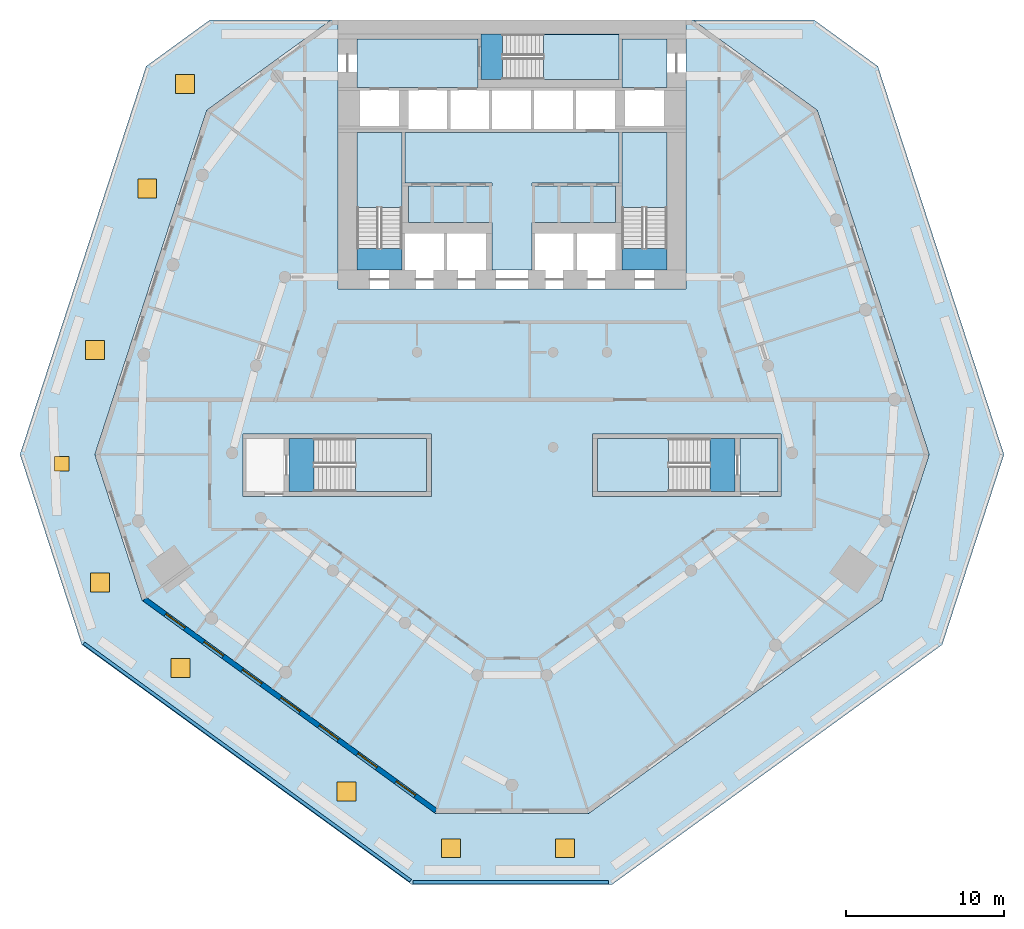
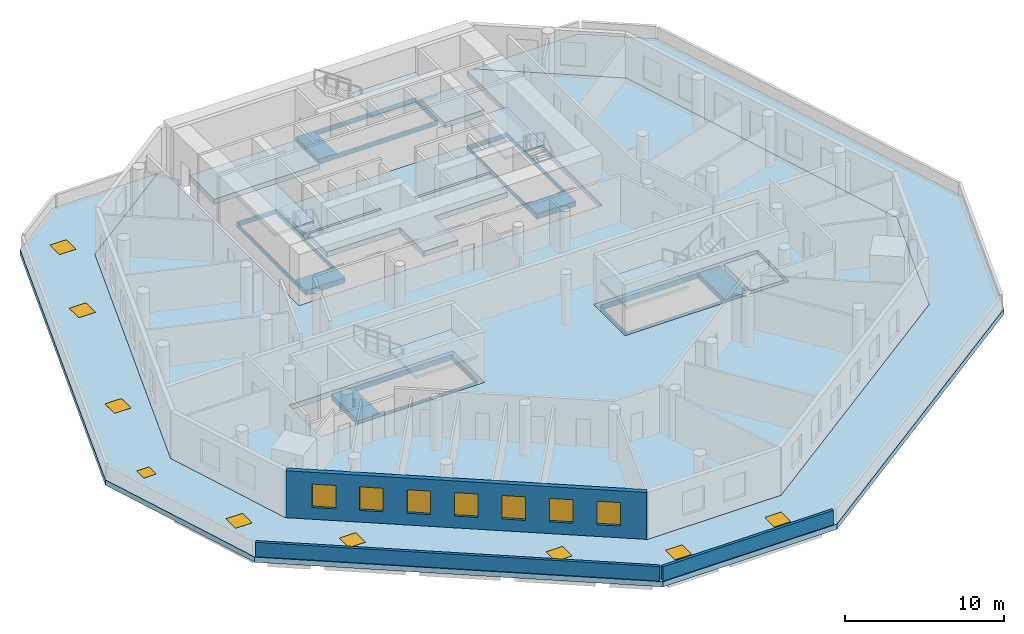
# One storey, part 2 of 10: 16 slabs, 16 windows, 3 walls, 16 openings, 5 elements without a shape of their own.
"""IFC4 building model written with IfcOpenShell, lengths in metres."""

from ifc_helpers import new_model, si_unit, direction, frame, frame_2d, origin, origin_2d, place, context, subcontext, project, spatial, polyline, rectangle, outline, extrude, material, layer, layer_set, type_object, element, fill, aggregate, save


model = new_model("IFC4")

# Units and contexts
model_context = context("Model", 3, precision=1e-05, world=origin(), true_north=direction((0.0, 1.0)))
body_context = subcontext(model_context, "Body", "Model", "MODEL_VIEW")
ifc_project = project(units=[si_unit("LENGTHUNIT", "METRE"), si_unit("AREAUNIT", "SQUARE_METRE"), si_unit("VOLUMEUNIT", "CUBIC_METRE"), si_unit("PLANEANGLEUNIT", "RADIAN"), si_unit("MASSUNIT", "GRAM", prefix="KILO")], contexts=[model_context])

# Site, building, storey
site_placement = place(None, origin())
site = spatial("IfcSite", under=ifc_project, at=site_placement, CompositionType="ELEMENT")
building_placement = place(site_placement, origin())
building = spatial("IfcBuilding", under=site, at=building_placement, Name="White Candle Pilgrim Tower", CompositionType="ELEMENT")
storey_placement = place(building_placement, frame((0.0, 0.0, 39.0)))
storey = spatial("IfcBuildingStorey", under=building, at=storey_placement, Name="L06", CompositionType="ELEMENT", Elevation=39.0)

# Slabs
ifc_material_1 = material(Name="Concrete C40/50", Category="concrete")
ifc_layer_1 = layer(ifc_material_1, 0.39990234375)
ifc_layer_set_1 = layer_set([ifc_layer_1], Name="Core floor slab 400 mm Concrete C40/50")
slab_type_1 = type_object("IfcSlabType", Name="Core floor slab 400 mm Concrete C40/50", PredefinedType="FLOOR", material=ifc_layer_set_1)
slab_1_placement = place(storey_placement, frame((0.0, 0.0, -0.39990234375)))
element("IfcSlab", 1, at=slab_1_placement, inside=storey, type_object=slab_type_1, Name="CF-L06-02", PredefinedType="FLOOR", context=body_context, shape_type="SweptSolid", body=[
    extrude(outline(polyline([(55.89990234375, 58.199951171875), (55.89990234375, 61.550048828125), (64.60009765625, 61.550048828125), (64.60009765625, 58.199951171875), (55.89990234375, 58.199951171875)]), holes=[polyline([(57.501953125, 61.548095703125), (57.501953125, 58.201904296875), (64.597900390625, 58.201904296875), (64.597900390625, 61.548095703125), (57.501953125, 61.548095703125)])]), origin(), (0.0, 0.0, 1.0), 0.39990234375),
])
slab_2_placement = place(storey_placement, frame((0.0, 0.0, -0.39990234375)))
element("IfcSlab", 2, at=slab_2_placement, inside=storey, type_object=slab_type_1, Name="CF-L06-03", PredefinedType="FLOOR", context=body_context, shape_type="SweptSolid", body=[
    extrude(outline(polyline([(75.39990234375, 58.199951171875), (75.39990234375, 61.550048828125), (84.10009765625, 61.550048828125), (84.10009765625, 58.199951171875), (75.39990234375, 58.199951171875)]), holes=[polyline([(82.498046875, 58.201904296875), (82.498046875, 61.548095703125), (75.402099609375, 61.548095703125), (75.402099609375, 58.201904296875), (82.498046875, 58.201904296875)])]), origin(), (0.0, 0.0, 1.0), 0.39990234375),
])
slab_3_placement = place(storey_placement, frame((0.0, 0.0, -0.39990234375)))
element("IfcSlab", 3, at=slab_3_placement, inside=storey, type_object=slab_type_1, Name="CF-L06-04", PredefinedType="FLOOR", context=body_context, shape_type="SweptSolid", body=[
    extrude(outline(polyline([(86.800048828125, 58.199951171875), (84.39990234375, 58.199951171875), (84.39990234375, 61.550048828125), (86.800048828125, 61.550048828125), (86.800048828125, 58.199951171875)])), origin(), (0.0, 0.0, 1.0), 0.39990234375),
])
slab_4_placement = place(storey_placement, frame((0.0, 0.0, -0.39990234375)))
element("IfcSlab", 4, at=slab_4_placement, inside=storey, type_object=slab_type_1, Name="CF-L06-05", PredefinedType="FLOOR", context=body_context, shape_type="SweptSolid", body=[
    extrude(outline(polyline([(76.75, 87.10009765625), (76.75, 86.800048828125), (76.75, 84.25), (68.050048828125, 84.25), (68.050048828125, 86.800048828125), (68.050048828125, 87.10009765625), (76.75, 87.10009765625)]), holes=[polyline([(69.402099609375, 87.097900390625), (69.402099609375, 84.251953125), (76.748046875, 84.251953125), (76.748046875, 87.097900390625), (69.402099609375, 87.097900390625)])]), origin(), (0.0, 0.0, 1.0), 0.39990234375),
])
slab_5_placement = place(storey_placement, frame((0.0, 0.0, -0.39990234375)))
element("IfcSlab", 5, at=slab_5_placement, inside=storey, type_object=slab_type_1, Name="CF-L06-06", PredefinedType="FLOOR", context=body_context, shape_type="SweptSolid", body=[
    extrude(outline(polyline([(79.800048828125, 86.800048828125), (79.800048828125, 83.75), (76.949951171875, 83.75), (76.949951171875, 84.25), (76.949951171875, 86.800048828125), (79.800048828125, 86.800048828125)])), origin(), (0.0, 0.0, 1.0), 0.39990234375),
])
slab_6_placement = place(storey_placement, frame((0.0, 0.0, -0.39990234375)))
element("IfcSlab", 6, at=slab_6_placement, inside=storey, type_object=slab_type_1, Name="CF-L06-07", PredefinedType="FLOOR", context=body_context, shape_type="SweptSolid", body=[
    extrude(outline(polyline([(79.800048828125, 72.199951171875), (76.949951171875, 72.199951171875), (76.949951171875, 74.5), (76.949951171875, 75.199951171875), (76.949951171875, 77.5), (76.949951171875, 77.699951171875), (76.949951171875, 80.89990234375), (79.800048828125, 80.89990234375), (79.800048828125, 72.199951171875)]), holes=[polyline([(76.951904296875, 73.552001953125), (79.798095703125, 73.552001953125), (79.798095703125, 80.89794921875), (76.951904296875, 80.89794921875), (76.951904296875, 73.552001953125)])]), origin(), (0.0, 0.0, 1.0), 0.39990234375),
])
slab_7_placement = place(storey_placement, frame((0.0, 0.0, -0.39990234375)))
element("IfcSlab", 7, at=slab_7_placement, inside=storey, type_object=slab_type_1, Name="CF-L06-08", PredefinedType="FLOOR", context=body_context, shape_type="SweptSolid", body=[
    extrude(outline(polyline([(68.75, 72.199951171875), (68.75, 74.5), (68.75, 75.199951171875), (63.449951171875, 75.199951171875), (63.449951171875, 77.5), (68.75, 77.5), (68.75, 77.699951171875), (63.25, 77.699951171875), (63.25, 80.89990234375), (76.75, 80.89990234375), (76.75, 77.699951171875), (71.25, 77.699951171875), (71.25, 77.5), (76.550048828125, 77.5), (76.550048828125, 75.199951171875), (71.25, 75.199951171875), (71.25, 74.5), (71.25, 72.199951171875), (68.75, 72.199951171875)])), origin(), (0.0, 0.0, 1.0), 0.39990234375),
])
slab_8_placement = place(storey_placement, frame((0.0, 0.0, -0.39990234375)))
element("IfcSlab", 8, at=slab_8_placement, inside=storey, type_object=slab_type_1, Name="CF-L06-09", PredefinedType="FLOOR", context=body_context, shape_type="SweptSolid", body=[
    extrude(outline(polyline([(60.199951171875, 72.199951171875), (60.199951171875, 80.89990234375), (63.050048828125, 80.89990234375), (63.050048828125, 77.699951171875), (63.050048828125, 77.5), (63.050048828125, 75.199951171875), (63.050048828125, 74.5), (63.050048828125, 72.199951171875), (60.199951171875, 72.199951171875)]), holes=[polyline([(60.201904296875, 73.552001953125), (63.048095703125, 73.552001953125), (63.048095703125, 80.89794921875), (60.201904296875, 80.89794921875), (60.201904296875, 73.552001953125)])]), origin(), (0.0, 0.0, 1.0), 0.39990234375),
])
slab_9_placement = place(storey_placement, frame((0.0, 0.0, -0.39990234375)))
element("IfcSlab", 9, at=slab_9_placement, inside=storey, type_object=slab_type_1, Name="CF-L06-10", PredefinedType="FLOOR", context=body_context, shape_type="SweptSolid", body=[
    extrude(outline(polyline([(60.199951171875, 86.800048828125), (67.85009765625, 86.800048828125), (67.85009765625, 84.25), (67.85009765625, 83.75), (60.199951171875, 83.75), (60.199951171875, 86.800048828125)])), origin(), (0.0, 0.0, 1.0), 0.39990234375),
])
ifc_layer_2 = layer(ifc_material_1, 0.39990234375)
ifc_layer_set_2 = layer_set([ifc_layer_2], Name="Floor slab 400 REI 240")
slab_type_2 = type_object("IfcSlabType", Name="Floor slab 400 REI 240", PredefinedType="FLOOR", material=ifc_layer_set_2)
slab_10_placement = place(storey_placement, frame((0.0, 0.0, -0.39990234375)))
element("IfcSlab", 10, at=slab_10_placement, inside=storey, type_object=slab_type_2, Name="L06 floor slab", PredefinedType="FLOOR", context=body_context, shape_type="SweptSolid", body=[
    extrude(outline(polyline([(65.14599609375, 37.861083984375), (74.85400390625, 37.861083984375), (93.359619140625, 51.30615234375), (96.359619140625, 60.539306640625), (89.291015625, 82.293701171875), (81.43701171875, 88.0), (81.0, 88.0), (81.0, 71.0), (59.0, 71.0), (59.0, 88.0), (58.56298828125, 88.0), (50.708984375, 82.293701171875), (43.640380859375, 60.539306640625), (46.640380859375, 51.30615234375), (65.14599609375, 37.861083984375)]), holes=[polyline([(53.0, 57.89990234375), (53.0, 61.85009765625), (64.89990234375, 61.85009765625), (64.89990234375, 57.89990234375), (53.0, 57.89990234375)]), polyline([(75.10009765625, 57.89990234375), (75.10009765625, 61.85009765625), (87.0, 61.85009765625), (87.0, 57.89990234375), (75.10009765625, 57.89990234375)])]), origin(), (0.0, 0.0, 1.0), 0.39990234375),
])

# Slab, openings, windows
ifc_layer_3 = layer(ifc_material_1, 0.39990234375)
ifc_layer_set_3 = layer_set([ifc_layer_3], Name="Roof deck 400 REI 240")
slab_type_3 = type_object("IfcSlabType", Name="Roof deck 400 REI 240", PredefinedType="ROOF", material=ifc_layer_set_3)
slab_11_placement = place(storey_placement, frame((0.0, 0.0, -0.39990234375)))
slab_11 = element("IfcSlab", 11, at=slab_11_placement, inside=storey, type_object=slab_type_3, Name="Maintenance roof deck FS6", PredefinedType="ROOF", context=body_context, shape_type="SweptSolid", body=[
    extrude(outline(polyline([(63.683837890625, 33.361083984375), (76.316162109375, 33.361083984375), (97.1875, 48.525146484375), (101.09130859375, 60.539306640625), (93.118896484375, 85.07470703125), (89.0927734375, 88.0), (81.4375, 87.999755859375), (89.291015625, 82.293701171875), (96.359619140625, 60.539306640625), (93.359619140625, 51.30615234375), (74.85400390625, 37.861083984375), (65.14599609375, 37.861083984375), (46.640380859375, 51.30615234375), (43.640380859375, 60.539306640625), (50.708984375, 82.293701171875), (58.5625, 88.0), (50.906982421875, 88.0), (46.880859375, 85.07470703125), (38.90869140625, 60.539306640625), (42.8125, 48.52490234375), (63.683837890625, 33.361083984375)])), origin(), (0.0, 0.0, 1.0), 0.39990234375),
])
opening_1_placement = place(slab_11_placement, frame((41.550048828125, 59.9599609375, 0.0)))
opening_1 = element("IfcOpeningElement", 12, at=opening_1_placement, cuts=slab_11, Name="Opening SK1", PredefinedType="OPENING", context=body_context, shape_type="SweptSolid", body=[
    extrude(rectangle(XDim=0.89990234375, YDim=0.89990234375, at=origin_2d()), origin(), (0.0, 0.0, 1.0), 0.39990234375),
])
opening_2_placement = place(slab_11_placement, frame((43.64990234375, 67.159912109375, 0.0)))
opening_2 = element("IfcOpeningElement", 13, at=opening_2_placement, cuts=slab_11, Name="Opening SK2", PredefinedType="OPENING", context=body_context, shape_type="SweptSolid", body=[
    extrude(rectangle(XDim=1.199951171875, YDim=1.199951171875, at=origin_2d()), origin(), (0.0, 0.0, 1.0), 0.39990234375),
])
opening_3_placement = place(slab_11_placement, frame((43.949951171875, 52.4599609375, 0.0)))
opening_3 = element("IfcOpeningElement", 14, at=opening_3_placement, cuts=slab_11, Name="Opening SK2", PredefinedType="OPENING", context=body_context, shape_type="SweptSolid", body=[
    extrude(rectangle(XDim=1.199951171875, YDim=1.199951171875, at=origin_2d()), origin(), (0.0, 0.0, 1.0), 0.39990234375),
])
opening_4_placement = place(slab_11_placement, frame((46.949951171875, 77.360107421875, 0.0)))
opening_4 = element("IfcOpeningElement", 15, at=opening_4_placement, cuts=slab_11, Name="Opening SK2", PredefinedType="OPENING", context=body_context, shape_type="SweptSolid", body=[
    extrude(rectangle(XDim=1.199951171875, YDim=1.199951171875, at=origin_2d()), origin(), (0.0, 0.0, 1.0), 0.39990234375),
])
opening_5_placement = place(slab_11_placement, frame((49.050048828125, 47.06005859375, 0.0)))
opening_5 = element("IfcOpeningElement", 16, at=opening_5_placement, cuts=slab_11, Name="Opening SK2", PredefinedType="OPENING", context=body_context, shape_type="SweptSolid", body=[
    extrude(rectangle(XDim=1.199951171875, YDim=1.199951171875, at=origin_2d()), origin(), (0.0, 0.0, 1.0), 0.39990234375),
])
opening_6_placement = place(slab_11_placement, frame((49.35009765625, 83.9599609375, 0.0)))
opening_6 = element("IfcOpeningElement", 17, at=opening_6_placement, cuts=slab_11, Name="Opening SK2", PredefinedType="OPENING", context=body_context, shape_type="SweptSolid", body=[
    extrude(rectangle(XDim=1.199951171875, YDim=1.199951171875, at=origin_2d()), origin(), (0.0, 0.0, 1.0), 0.39990234375),
])
opening_7_placement = place(slab_11_placement, frame((59.550048828125, 39.260009765625, 0.0)))
opening_7 = element("IfcOpeningElement", 18, at=opening_7_placement, cuts=slab_11, Name="Opening SK2", PredefinedType="OPENING", context=body_context, shape_type="SweptSolid", body=[
    extrude(rectangle(XDim=1.199951171875, YDim=1.199951171875, at=origin_2d()), origin(), (0.0, 0.0, 1.0), 0.39990234375),
])
opening_8_placement = place(slab_11_placement, frame((66.14990234375, 35.659912109375, 0.0)))
opening_8 = element("IfcOpeningElement", 19, at=opening_8_placement, cuts=slab_11, Name="Opening SK2", PredefinedType="OPENING", context=body_context, shape_type="SweptSolid", body=[
    extrude(rectangle(XDim=1.199951171875, YDim=1.199951171875, at=origin_2d()), origin(), (0.0, 0.0, 1.0), 0.39990234375),
])
opening_9_placement = place(slab_11_placement, frame((73.35009765625, 35.659912109375, 0.0)))
opening_9 = element("IfcOpeningElement", 20, at=opening_9_placement, cuts=slab_11, Name="Opening SK2", PredefinedType="OPENING", context=body_context, shape_type="SweptSolid", body=[
    extrude(rectangle(XDim=1.199951171875, YDim=1.199951171875, at=origin_2d()), origin(), (0.0, 0.0, 1.0), 0.39990234375),
])
ifc_material_2 = material(Name="Aluminium with glazing", Category="aluminium")
window_type_1 = type_object("IfcWindowType", Name="Roof access hatch SK1 900", PartitioningType="SINGLE_PANEL", PredefinedType="SKYLIGHT", material=ifc_material_2)
window_1_placement = place(opening_1_placement, frame((0.0, 0.0, 0.349853515625)))
window_1 = element("IfcWindow", 21, at=window_1_placement, inside=storey, type_object=window_type_1, Name="Roof access hatch SK1 L06", OverallHeight=0.89990234375, OverallWidth=0.89990234375, PartitioningType="SINGLE_PANEL", PredefinedType="SKYLIGHT", context=body_context, shape_type="SweptSolid", body=[
    extrude(rectangle(XDim=0.89990234375, YDim=0.89990234375, at=origin_2d()), origin(), (0.0, 0.0, 1.0), 0.050048828125),
])
fill(opening_1, window_1)
window_type_2 = type_object("IfcWindowType", Name="Rooflight SK2 1200", PartitioningType="SINGLE_PANEL", PredefinedType="SKYLIGHT", material=ifc_material_2)
window_2_placement = place(opening_2_placement, frame((0.0, 0.0, 0.349853515625)))
window_2 = element("IfcWindow", 22, at=window_2_placement, inside=storey, type_object=window_type_2, Name="Rooflight SK2 L06 1", OverallHeight=1.199951171875, OverallWidth=1.199951171875, PartitioningType="SINGLE_PANEL", PredefinedType="SKYLIGHT", context=body_context, shape_type="SweptSolid", body=[
    extrude(rectangle(XDim=1.199951171875, YDim=1.199951171875, at=origin_2d()), origin(), (0.0, 0.0, 1.0), 0.050048828125),
])
fill(opening_2, window_2)
window_3_placement = place(opening_3_placement, frame((0.0, 0.0, 0.349853515625)))
window_3 = element("IfcWindow", 23, at=window_3_placement, inside=storey, type_object=window_type_2, Name="Rooflight SK2 L06 2", OverallHeight=1.199951171875, OverallWidth=1.199951171875, PartitioningType="SINGLE_PANEL", PredefinedType="SKYLIGHT", context=body_context, shape_type="SweptSolid", body=[
    extrude(rectangle(XDim=1.199951171875, YDim=1.199951171875, at=origin_2d()), origin(), (0.0, 0.0, 1.0), 0.050048828125),
])
fill(opening_3, window_3)
window_4_placement = place(opening_4_placement, frame((0.0, 0.0, 0.349853515625)))
window_4 = element("IfcWindow", 24, at=window_4_placement, inside=storey, type_object=window_type_2, Name="Rooflight SK2 L06 3", OverallHeight=1.199951171875, OverallWidth=1.199951171875, PartitioningType="SINGLE_PANEL", PredefinedType="SKYLIGHT", context=body_context, shape_type="SweptSolid", body=[
    extrude(rectangle(XDim=1.199951171875, YDim=1.199951171875, at=origin_2d()), origin(), (0.0, 0.0, 1.0), 0.050048828125),
])
fill(opening_4, window_4)
window_5_placement = place(opening_5_placement, frame((0.0, 0.0, 0.349853515625)))
window_5 = element("IfcWindow", 25, at=window_5_placement, inside=storey, type_object=window_type_2, Name="Rooflight SK2 L06 4", OverallHeight=1.199951171875, OverallWidth=1.199951171875, PartitioningType="SINGLE_PANEL", PredefinedType="SKYLIGHT", context=body_context, shape_type="SweptSolid", body=[
    extrude(rectangle(XDim=1.199951171875, YDim=1.199951171875, at=origin_2d()), origin(), (0.0, 0.0, 1.0), 0.050048828125),
])
fill(opening_5, window_5)
window_6_placement = place(opening_6_placement, frame((0.0, 0.0, 0.349853515625)))
window_6 = element("IfcWindow", 26, at=window_6_placement, inside=storey, type_object=window_type_2, Name="Rooflight SK2 L06 5", OverallHeight=1.199951171875, OverallWidth=1.199951171875, PartitioningType="SINGLE_PANEL", PredefinedType="SKYLIGHT", context=body_context, shape_type="SweptSolid", body=[
    extrude(rectangle(XDim=1.199951171875, YDim=1.199951171875, at=origin_2d()), origin(), (0.0, 0.0, 1.0), 0.050048828125),
])
fill(opening_6, window_6)
window_7_placement = place(opening_7_placement, frame((0.0, 0.0, 0.349853515625)))
window_7 = element("IfcWindow", 27, at=window_7_placement, inside=storey, type_object=window_type_2, Name="Rooflight SK2 L06 6", OverallHeight=1.199951171875, OverallWidth=1.199951171875, PartitioningType="SINGLE_PANEL", PredefinedType="SKYLIGHT", context=body_context, shape_type="SweptSolid", body=[
    extrude(rectangle(XDim=1.199951171875, YDim=1.199951171875, at=origin_2d()), origin(), (0.0, 0.0, 1.0), 0.050048828125),
])
fill(opening_7, window_7)
window_8_placement = place(opening_8_placement, frame((0.0, 0.0, 0.349853515625)))
window_8 = element("IfcWindow", 28, at=window_8_placement, inside=storey, type_object=window_type_2, Name="Rooflight SK2 L06 7", OverallHeight=1.199951171875, OverallWidth=1.199951171875, PartitioningType="SINGLE_PANEL", PredefinedType="SKYLIGHT", context=body_context, shape_type="SweptSolid", body=[
    extrude(rectangle(XDim=1.199951171875, YDim=1.199951171875, at=origin_2d()), origin(), (0.0, 0.0, 1.0), 0.050048828125),
])
fill(opening_8, window_8)
window_9_placement = place(opening_9_placement, frame((0.0, 0.0, 0.349853515625)))
window_9 = element("IfcWindow", 29, at=window_9_placement, inside=storey, type_object=window_type_2, Name="Rooflight SK2 L06 8", OverallHeight=1.199951171875, OverallWidth=1.199951171875, PartitioningType="SINGLE_PANEL", PredefinedType="SKYLIGHT", context=body_context, shape_type="SweptSolid", body=[
    extrude(rectangle(XDim=1.199951171875, YDim=1.199951171875, at=origin_2d()), origin(), (0.0, 0.0, 1.0), 0.050048828125),
])
fill(opening_9, window_9)

# Stair, slab
stair_type_1 = type_object("IfcStairType", Name="Exit stair 1 flight width 1350 mm", PredefinedType="HALF_TURN_STAIR", material=ifc_material_1)
stair_1_placement = place(storey_placement, origin())
stair_1 = element("IfcStair", 30, at=stair_1_placement, inside=storey, type_object=stair_type_1, Name="L06 stair 1", PredefinedType="NOTDEFINED")
ifc_layer_4 = layer(ifc_material_1, 0.199951171875)
ifc_layer_set_4 = layer_set([ifc_layer_4], Name="Stair landing Concrete C40/50")
slab_type_4 = type_object("IfcSlabType", Name="Stair landing Concrete C40/50", PredefinedType="LANDING", material=ifc_layer_set_4)
slab_12_placement = place(storey_placement, frame((0.0, 0.0, 1.75)))
slab_12 = element("IfcSlab", 31, at=slab_12_placement, type_object=slab_type_4, Name="ST1 landing 1", PredefinedType="LANDING", context=body_context, shape_type="SweptSolid", body=[
    extrude(outline(polyline([(63.052001953125, 76.14794921875), (60.197998046875, 76.14794921875), (60.197998046875, 80.902099609375), (63.052001953125, 80.902099609375), (63.052001953125, 76.14794921875)])), origin(), (0.0, 0.0, 1.0), 0.199951171875),
])
aggregate(stair_1, [slab_12])

stair_type_2 = type_object("IfcStairType", Name="Exit stair 2 flight width 1350 mm", PredefinedType="HALF_TURN_STAIR", material=ifc_material_1)
stair_2_placement = place(storey_placement, origin())
stair_2 = element("IfcStair", 32, at=stair_2_placement, inside=storey, type_object=stair_type_2, Name="L06 stair 2", PredefinedType="NOTDEFINED")
slab_13_placement = place(storey_placement, frame((0.0, 0.0, 1.75)))
slab_13 = element("IfcSlab", 33, at=slab_13_placement, type_object=slab_type_4, Name="ST2 landing 1", PredefinedType="LANDING", context=body_context, shape_type="SweptSolid", body=[
    extrude(outline(polyline([(79.802001953125, 76.14794921875), (76.947998046875, 76.14794921875), (76.947998046875, 80.902099609375), (79.802001953125, 80.902099609375), (79.802001953125, 76.14794921875)])), origin(), (0.0, 0.0, 1.0), 0.199951171875),
])
aggregate(stair_2, [slab_13])

stair_type_3 = type_object("IfcStairType", Name="Exit stair 3 flight width 1350 mm", PredefinedType="HALF_TURN_STAIR", material=ifc_material_1)
stair_3_placement = place(storey_placement, origin())
stair_3 = element("IfcStair", 34, at=stair_3_placement, inside=storey, type_object=stair_type_3, Name="L06 stair 3", PredefinedType="NOTDEFINED")
slab_14_placement = place(storey_placement, frame((0.0, 0.0, 1.75)))
slab_14 = element("IfcSlab", 35, at=slab_14_placement, type_object=slab_type_4, Name="ST3 landing 1", PredefinedType="LANDING", context=body_context, shape_type="SweptSolid", body=[
    extrude(outline(polyline([(71.998046875, 84.248046875), (71.998046875, 87.10205078125), (76.751953125, 87.10205078125), (76.751953125, 84.248046875), (71.998046875, 84.248046875)])), origin(), (0.0, 0.0, 1.0), 0.199951171875),
])
aggregate(stair_3, [slab_14])

stair_type_4 = type_object("IfcStairType", Name="Exit stair 4 flight width 1600 mm", PredefinedType="HALF_TURN_STAIR", material=ifc_material_1)
stair_4_placement = place(storey_placement, origin())
stair_4 = element("IfcStair", 36, at=stair_4_placement, inside=storey, type_object=stair_type_4, Name="L06 stair 4", PredefinedType="NOTDEFINED")
slab_15_placement = place(storey_placement, frame((0.0, 0.0, 1.75)))
slab_15 = element("IfcSlab", 37, at=slab_15_placement, type_object=slab_type_4, Name="ST4 landing 1", PredefinedType="LANDING", context=body_context, shape_type="SweptSolid", body=[
    extrude(outline(polyline([(79.902099609375, 61.552001953125), (79.902099609375, 58.197998046875), (75.39794921875, 58.197998046875), (75.39794921875, 61.552001953125), (79.902099609375, 61.552001953125)])), origin(), (0.0, 0.0, 1.0), 0.199951171875),
])
aggregate(stair_4, [slab_15])

stair_type_5 = type_object("IfcStairType", Name="Exit stair 5 flight width 1600 mm", PredefinedType="HALF_TURN_STAIR", material=ifc_material_1)
stair_5_placement = place(storey_placement, origin())
stair_5 = element("IfcStair", 38, at=stair_5_placement, inside=storey, type_object=stair_type_5, Name="L06 stair 5", PredefinedType="NOTDEFINED")
slab_16_placement = place(storey_placement, frame((0.0, 0.0, 1.75)))
slab_16 = element("IfcSlab", 39, at=slab_16_placement, type_object=slab_type_4, Name="ST5 landing 1", PredefinedType="LANDING", context=body_context, shape_type="SweptSolid", body=[
    extrude(outline(polyline([(60.097900390625, 58.197998046875), (60.097900390625, 61.552001953125), (64.60205078125, 61.552001953125), (64.60205078125, 58.197998046875), (60.097900390625, 58.197998046875)])), origin(), (0.0, 0.0, 1.0), 0.199951171875),
])
aggregate(stair_5, [slab_16])

# Wall, openings, windows
ifc_material_3 = material(Name="Precast concrete C40/50", Category="concrete")
ifc_layer_5 = layer(ifc_material_3, 0.320068359375)
ifc_layer_set_5 = layer_set([ifc_layer_5], Name="Facade wall EW1 precast concrete C40/50 pier wall with timber-lined reveals")
wall_type_1 = type_object("IfcWallType", Name="Facade wall EW1 precast concrete C40/50 pier wall with timber-lined reveals", PredefinedType="SOLIDWALL", material=ifc_layer_set_5)
wall_1_placement = place(storey_placement, frame((46.776611328125, 51.405029296875, 0.0), z_axis=(0.0, 0.0, 1.0), x_axis=(0.809014648547, -0.587788481035, 0.0)))
wall_1 = element("IfcWall", 40, at=wall_1_placement, inside=storey, type_object=wall_type_1, Name="Facade wall L06 SW", PredefinedType="SOLIDWALL", context=body_context, shape_type="SweptSolid", body=[
    extrude(rectangle(XDim=22.770263671875, YDim=0.320068359375, at=frame_2d((11.38525390625, 0.0))), origin(), (0.0, 0.0, 1.0), 3.60009765625),
])
opening_10_placement = place(wall_1_placement, frame((1.635009765625, 0.0, 0.89990234375)))
opening_10 = element("IfcOpeningElement", 41, at=opening_10_placement, cuts=wall_1, Name="Opening W1", PredefinedType="OPENING", context=body_context, shape_type="SweptSolid", body=[
    extrude(rectangle(XDim=1.5, YDim=1.800048828125, at=frame_2d((0.75, 0.89990234375))), frame((0.0, 0.169921875, 0.0), z_axis=(0.0, -1.0, 0.0), x_axis=(1.0, 0.0, 0.0)), (0.0, 0.0, 1.0), 0.340087890625),
])
opening_11_placement = place(wall_1_placement, frame((4.635009765625, 0.0, 0.89990234375)))
opening_11 = element("IfcOpeningElement", 42, at=opening_11_placement, cuts=wall_1, Name="Opening W1", PredefinedType="OPENING", context=body_context, shape_type="SweptSolid", body=[
    extrude(rectangle(XDim=1.5, YDim=1.800048828125, at=frame_2d((0.75, 0.89990234375))), frame((0.0, 0.169921875, 0.0), z_axis=(0.0, -1.0, 0.0), x_axis=(1.0, 0.0, 0.0)), (0.0, 0.0, 1.0), 0.340087890625),
])
opening_12_placement = place(wall_1_placement, frame((7.635009765625, 0.0, 0.89990234375)))
opening_12 = element("IfcOpeningElement", 43, at=opening_12_placement, cuts=wall_1, Name="Opening W1", PredefinedType="OPENING", context=body_context, shape_type="SweptSolid", body=[
    extrude(rectangle(XDim=1.5, YDim=1.800048828125, at=frame_2d((0.75, 0.89990234375))), frame((0.0, 0.169921875, 0.0), z_axis=(0.0, -1.0, 0.0), x_axis=(1.0, 0.0, 0.0)), (0.0, 0.0, 1.0), 0.340087890625),
])
opening_13_placement = place(wall_1_placement, frame((10.635009765625, 0.0, 0.89990234375)))
opening_13 = element("IfcOpeningElement", 44, at=opening_13_placement, cuts=wall_1, Name="Opening W1", PredefinedType="OPENING", context=body_context, shape_type="SweptSolid", body=[
    extrude(rectangle(XDim=1.5, YDim=1.800048828125, at=frame_2d((0.75, 0.89990234375))), frame((0.0, 0.169921875, 0.0), z_axis=(0.0, -1.0, 0.0), x_axis=(1.0, 0.0, 0.0)), (0.0, 0.0, 1.0), 0.340087890625),
])
opening_14_placement = place(wall_1_placement, frame((13.635009765625, 0.0, 0.89990234375)))
opening_14 = element("IfcOpeningElement", 45, at=opening_14_placement, cuts=wall_1, Name="Opening W1", PredefinedType="OPENING", context=body_context, shape_type="SweptSolid", body=[
    extrude(rectangle(XDim=1.5, YDim=1.800048828125, at=frame_2d((0.75, 0.89990234375))), frame((0.0, 0.169921875, 0.0), z_axis=(0.0, -1.0, 0.0), x_axis=(1.0, 0.0, 0.0)), (0.0, 0.0, 1.0), 0.340087890625),
])
opening_15_placement = place(wall_1_placement, frame((16.635009765625, 0.0, 0.89990234375)))
opening_15 = element("IfcOpeningElement", 46, at=opening_15_placement, cuts=wall_1, Name="Opening W1", PredefinedType="OPENING", context=body_context, shape_type="SweptSolid", body=[
    extrude(rectangle(XDim=1.5, YDim=1.800048828125, at=frame_2d((0.75, 0.89990234375))), frame((0.0, 0.169921875, 0.0), z_axis=(0.0, -1.0, 0.0), x_axis=(1.0, 0.0, 0.0)), (0.0, 0.0, 1.0), 0.340087890625),
])
opening_16_placement = place(wall_1_placement, frame((19.635009765625, 0.0, 0.89990234375)))
opening_16 = element("IfcOpeningElement", 47, at=opening_16_placement, cuts=wall_1, Name="Opening W1", PredefinedType="OPENING", context=body_context, shape_type="SweptSolid", body=[
    extrude(rectangle(XDim=1.5, YDim=1.800048828125, at=frame_2d((0.75, 0.89990234375))), frame((0.0, 0.169921875, 0.0), z_axis=(0.0, -1.0, 0.0), x_axis=(1.0, 0.0, 0.0)), (0.0, 0.0, 1.0), 0.340087890625),
])
ifc_material_4 = material(Name="Timber frame with triple glazing", Category="wood")
window_type_3 = type_object("IfcWindowType", Name="Window W1 1500x1800 timber frame triple glazing", PartitioningType="SINGLE_PANEL", PredefinedType="WINDOW", material=ifc_material_4)
window_10_placement = place(opening_10_placement, origin())
window_10 = element("IfcWindow", 48, at=window_10_placement, inside=storey, type_object=window_type_3, Name="Window W1 L06 SW 1", OverallHeight=1.800048828125, OverallWidth=1.5, PartitioningType="SINGLE_PANEL", PredefinedType="WINDOW", context=body_context, shape_type="SweptSolid", body=[
    extrude(rectangle(XDim=1.5, YDim=1.800048828125, at=frame_2d((0.75, 0.89990234375))), frame((0.0, 0.070068359375, 0.0), z_axis=(0.0, -1.0, 0.0), x_axis=(1.0, 0.0, 0.0)), (0.0, 0.0, 1.0), 0.06005859375),
])
fill(opening_10, window_10)
window_11_placement = place(opening_11_placement, origin())
window_11 = element("IfcWindow", 49, at=window_11_placement, inside=storey, type_object=window_type_3, Name="Window W1 L06 SW 2", OverallHeight=1.800048828125, OverallWidth=1.5, PartitioningType="SINGLE_PANEL", PredefinedType="WINDOW", context=body_context, shape_type="SweptSolid", body=[
    extrude(rectangle(XDim=1.5, YDim=1.800048828125, at=frame_2d((0.75, 0.89990234375))), frame((0.0, 0.070068359375, 0.0), z_axis=(0.0, -1.0, 0.0), x_axis=(1.0, 0.0, 0.0)), (0.0, 0.0, 1.0), 0.06005859375),
])
fill(opening_11, window_11)
window_12_placement = place(opening_12_placement, origin())
window_12 = element("IfcWindow", 50, at=window_12_placement, inside=storey, type_object=window_type_3, Name="Window W1 L06 SW 3", OverallHeight=1.800048828125, OverallWidth=1.5, PartitioningType="SINGLE_PANEL", PredefinedType="WINDOW", context=body_context, shape_type="SweptSolid", body=[
    extrude(rectangle(XDim=1.5, YDim=1.800048828125, at=frame_2d((0.75, 0.89990234375))), frame((0.0, 0.070068359375, 0.0), z_axis=(0.0, -1.0, 0.0), x_axis=(1.0, 0.0, 0.0)), (0.0, 0.0, 1.0), 0.06005859375),
])
fill(opening_12, window_12)
window_13_placement = place(opening_13_placement, origin())
window_13 = element("IfcWindow", 51, at=window_13_placement, inside=storey, type_object=window_type_3, Name="Window W1 L06 SW 4", OverallHeight=1.800048828125, OverallWidth=1.5, PartitioningType="SINGLE_PANEL", PredefinedType="WINDOW", context=body_context, shape_type="SweptSolid", body=[
    extrude(rectangle(XDim=1.5, YDim=1.800048828125, at=frame_2d((0.75, 0.89990234375))), frame((0.0, 0.070068359375, 0.0), z_axis=(0.0, -1.0, 0.0), x_axis=(1.0, 0.0, 0.0)), (0.0, 0.0, 1.0), 0.06005859375),
])
fill(opening_13, window_13)
window_14_placement = place(opening_14_placement, origin())
window_14 = element("IfcWindow", 52, at=window_14_placement, inside=storey, type_object=window_type_3, Name="Window W1 L06 SW 5", OverallHeight=1.800048828125, OverallWidth=1.5, PartitioningType="SINGLE_PANEL", PredefinedType="WINDOW", context=body_context, shape_type="SweptSolid", body=[
    extrude(rectangle(XDim=1.5, YDim=1.800048828125, at=frame_2d((0.75, 0.89990234375))), frame((0.0, 0.070068359375, 0.0), z_axis=(0.0, -1.0, 0.0), x_axis=(1.0, 0.0, 0.0)), (0.0, 0.0, 1.0), 0.06005859375),
])
fill(opening_14, window_14)
window_15_placement = place(opening_15_placement, origin())
window_15 = element("IfcWindow", 53, at=window_15_placement, inside=storey, type_object=window_type_3, Name="Window W1 L06 SW 6", OverallHeight=1.800048828125, OverallWidth=1.5, PartitioningType="SINGLE_PANEL", PredefinedType="WINDOW", context=body_context, shape_type="SweptSolid", body=[
    extrude(rectangle(XDim=1.5, YDim=1.800048828125, at=frame_2d((0.75, 0.89990234375))), frame((0.0, 0.070068359375, 0.0), z_axis=(0.0, -1.0, 0.0), x_axis=(1.0, 0.0, 0.0)), (0.0, 0.0, 1.0), 0.06005859375),
])
fill(opening_15, window_15)
window_16_placement = place(opening_16_placement, origin())
window_16 = element("IfcWindow", 54, at=window_16_placement, inside=storey, type_object=window_type_3, Name="Window W1 L06 SW 7", OverallHeight=1.800048828125, OverallWidth=1.5, PartitioningType="SINGLE_PANEL", PredefinedType="WINDOW", context=body_context, shape_type="SweptSolid", body=[
    extrude(rectangle(XDim=1.5, YDim=1.800048828125, at=frame_2d((0.75, 0.89990234375))), frame((0.0, 0.070068359375, 0.0), z_axis=(0.0, -1.0, 0.0), x_axis=(1.0, 0.0, 0.0)), (0.0, 0.0, 1.0), 0.06005859375),
])
fill(opening_16, window_16)

# Walls
ifc_layer_6 = layer(ifc_material_3, 0.199951171875)
ifc_layer_set_6 = layer_set([ifc_layer_6], Name="Roof parapet EW5 precast concrete C40/50 200")
wall_type_2 = type_object("IfcWallType", Name="Roof parapet EW5 precast concrete C40/50 200", PredefinedType="SOLIDWALL", material=ifc_layer_set_6)
wall_2_placement = place(storey_placement, frame((76.097412109375, 33.510986328125, 0.0), z_axis=(0.0, 0.0, 1.0), x_axis=(-1.0, 0.0, 0.0)))
element("IfcWall", 55, at=wall_2_placement, inside=storey, type_object=wall_type_2, Name="Roof parapet L05", PredefinedType="SOLIDWALL", context=body_context, shape_type="SweptSolid", body=[
    extrude(rectangle(XDim=12.364990234375, YDim=0.199951171875, at=frame_2d((6.1826171875, 0.0))), origin(), (0.0, 0.0, 1.0), 1.10009765625),
])
wall_3_placement = place(storey_placement, frame((63.594970703125, 33.611083984375, 0.0), z_axis=(0.0, 0.0, 1.0), x_axis=(-0.80901677135, 0.58778555926, 0.0)))
element("IfcWall", 56, at=wall_3_placement, inside=storey, type_object=wall_type_2, Name="Roof parapet L05", PredefinedType="SOLIDWALL", context=body_context, shape_type="SweptSolid", body=[
    extrude(rectangle(XDim=25.53076171875, YDim=0.199951171875, at=frame_2d((12.765380859375, 0.0))), origin(), (0.0, 0.0, 1.0), 1.10009765625),
])

save(model, "model.ifc")
